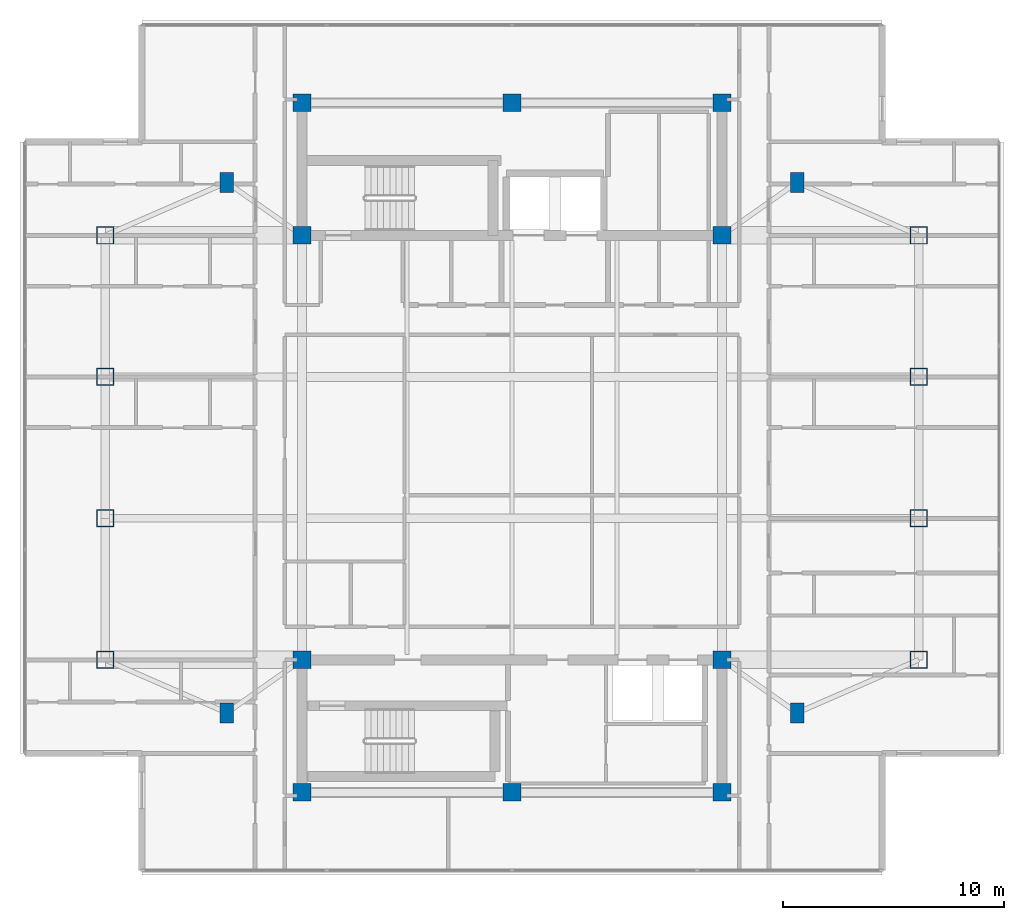
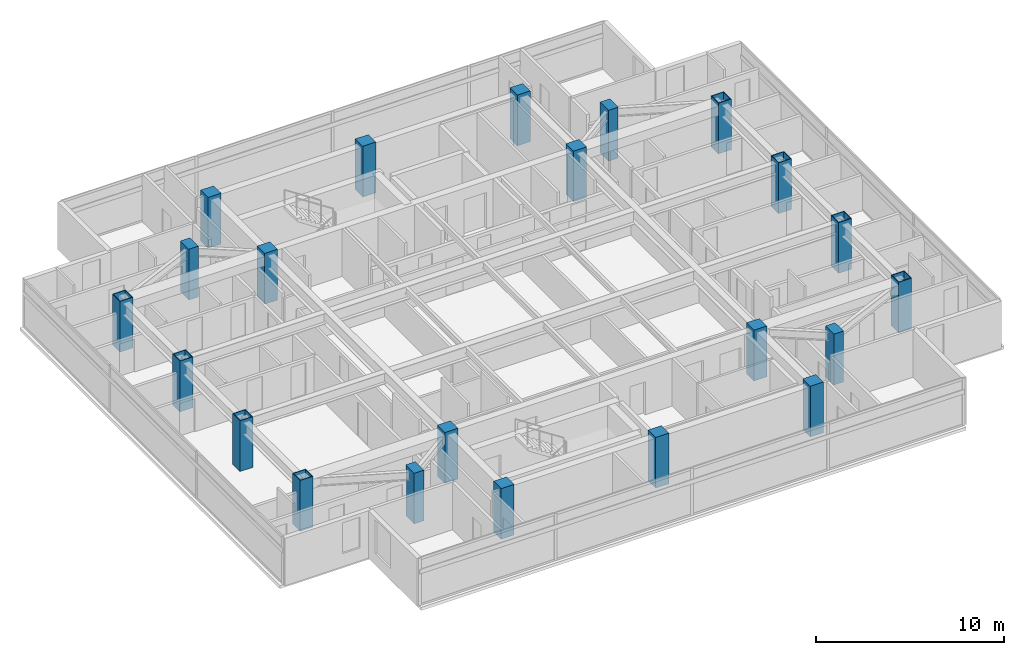
# One storey, part 1 of 14: 22 columns.
"""IFC4 building model written with IfcOpenShell, lengths in metres."""

from ifc_helpers import new_model, si_unit, direction, frame, origin, origin_2d, place, context, subcontext, project, spatial, rectangle, hollow_rectangle, extrude, material, material_profile, profile_set, type_object, element, save


model = new_model("IFC4")

# Units and contexts
model_context = context("Model", 3, precision=1e-05, world=origin(), true_north=direction((0.0, 1.0)))
body_context = subcontext(model_context, "Body", "Model", "MODEL_VIEW")
ifc_project = project(units=[si_unit("LENGTHUNIT", "METRE"), si_unit("AREAUNIT", "SQUARE_METRE"), si_unit("VOLUMEUNIT", "CUBIC_METRE"), si_unit("PLANEANGLEUNIT", "RADIAN"), si_unit("MASSUNIT", "GRAM", prefix="KILO")], contexts=[model_context])

# Site, building, storey
site_placement = place(None, origin())
site = spatial("IfcSite", under=ifc_project, at=site_placement, CompositionType="ELEMENT")
building_placement = place(site_placement, origin())
building = spatial("IfcBuilding", under=site, at=building_placement, Name="Mirazonda Arch Towers", CompositionType="ELEMENT")
storey_placement = place(building_placement, frame((0.0, 0.0, 242.5)))
storey = spatial("IfcBuildingStorey", under=building, at=storey_placement, Name="L69", CompositionType="ELEMENT", Elevation=242.5)

# Columns
ifc_material_1 = material(Name="Concrete C50/60", Category="concrete")
ifc_material_profile_1 = material_profile(ifc_material_1, rectangle(XDim=0.800048828125, YDim=0.800048828125, at=origin_2d()), Name="RC800x800")
ifc_profile_set_1 = profile_set([ifc_material_profile_1], Name="Concrete C50/60")
column_type_1 = type_object("IfcColumnType", Name="COL-INT-RC800x800", PredefinedType="COLUMN", material=ifc_profile_set_1)
for number, where, z_axis, x_axis, name in (
    (1, (11.0, 12.39990234375, 0.0), (0.0, 0.0, 1.0), (1.0, 0.0, 0.0), "L69 T1 Core Column 01"),
    (2, (20.5, 12.39990234375, 0.0), (0.0, 0.0, 1.0), (1.0, 0.0, 0.0), "L69 T1 Core Column 02"),
    (3, (30.0, 12.39990234375, 0.0), (0.0, 0.0, 1.0), (1.0, 0.0, 0.0), "L69 T1 Core Column 03"),
    (4, (11.0, 18.39990234375, 0.0), (0.0, 0.0, 1.0), (1.0, 0.0, 0.0), "L69 T1 Core Column 04"),
    (5, (30.0, 18.39990234375, 0.0), (0.0, 0.0, 1.0), (1.0, 0.0, 0.0), "L69 T1 Core Column 05"),
    (6, (11.0, 37.60009765625, 0.0), (0.0, 0.0, 1.0), (1.0, 0.0, 0.0), "L69 T1 Core Column 06"),
    (7, (30.0, 37.60009765625, 0.0), (0.0, 0.0, 1.0), (1.0, 0.0, 0.0), "L69 T1 Core Column 07"),
    (8, (11.0, 43.60009765625, 0.0), (0.0, 0.0, 1.0), (1.0, 0.0, 0.0), "L69 T1 Core Column 08"),
    (9, (20.5, 43.60009765625, 0.0), (0.0, 0.0, 1.0), (1.0, 0.0, 0.0), "L69 T1 Core Column 09"),
    (10, (30.0, 43.60009765625, 0.0), (0.0, 0.0, 1.0), (1.0, 0.0, 0.0), "L69 T1 Core Column 10"),
):
    element("IfcColumn", number, at=place(storey_placement, frame(where, z_axis=z_axis, x_axis=x_axis)), inside=storey, type_object=column_type_1, Name=name, PredefinedType="COLUMN", context=body_context, shape_type="SweptSolid", body=[
        extrude(rectangle(XDim=0.800048828125, YDim=0.800048828125, at=origin_2d()), origin(), (0.0, 0.0, 1.0), 3.300048828125),
    ])
ifc_material_2 = material(Name="Steel ASTM A572 Grade 50", Category="steel")
ifc_material_profile_2 = material_profile(ifc_material_2, hollow_rectangle(XDim=0.800048828125, YDim=0.800048828125, WallThickness=0.044921875, at=origin_2d()), Name="BOX800x800x45")
ifc_profile_set_2 = profile_set([ifc_material_profile_2], Name="Steel ASTM A572 Grade 50")
column_type_2 = type_object("IfcColumnType", Name="MCOL-EXT-BOX800x800x45", PredefinedType="COLUMN", material=ifc_profile_set_2)
for number, where, z_axis, x_axis, name in (
    (11, (2.10009765625, 18.39990234375, 0.0), (0.0, 0.0, 1.0), (1.0, 0.0, 0.0), "L69 T1 Composite Mega-Column 01"),
    (12, (2.10009765625, 24.800048828125, 0.0), (0.0, 0.0, 1.0), (1.0, 0.0, 0.0), "L69 T1 Composite Mega-Column 02"),
    (13, (2.10009765625, 31.199951171875, 0.0), (0.0, 0.0, 1.0), (1.0, 0.0, 0.0), "L69 T1 Composite Mega-Column 03"),
    (14, (2.10009765625, 37.60009765625, 0.0), (0.0, 0.0, 1.0), (1.0, 0.0, 0.0), "L69 T1 Composite Mega-Column 04"),
    (15, (38.89990234375, 18.39990234375, 0.0), (0.0, 0.0, 1.0), (1.0, 0.0, 0.0), "L69 T1 Composite Mega-Column 05"),
    (16, (38.89990234375, 24.800048828125, 0.0), (0.0, 0.0, 1.0), (1.0, 0.0, 0.0), "L69 T1 Composite Mega-Column 06"),
    (17, (38.89990234375, 31.199951171875, 0.0), (0.0, 0.0, 1.0), (1.0, 0.0, 0.0), "L69 T1 Composite Mega-Column 07"),
    (18, (38.89990234375, 37.60009765625, 0.0), (0.0, 0.0, 1.0), (1.0, 0.0, 0.0), "L69 T1 Composite Mega-Column 08"),
):
    element("IfcColumn", number, at=place(storey_placement, frame(where, z_axis=z_axis, x_axis=x_axis)), inside=storey, type_object=column_type_2, Name=name, PredefinedType="COLUMN", context=body_context, shape_type="SweptSolid", body=[
        extrude(hollow_rectangle(XDim=0.800048828125, YDim=0.800048828125, WallThickness=0.044921875, at=origin_2d()), origin(), (0.0, 0.0, 1.0), 3.300048828125),
    ])
ifc_material_profile_3 = material_profile(ifc_material_1, rectangle(XDim=0.60009765625, YDim=0.89990234375, at=origin_2d()), Name="RC900x600")
ifc_profile_set_3 = profile_set([ifc_material_profile_3], Name="Concrete C50/60")
column_type_3 = type_object("IfcColumnType", Name="PIL-EXT-RC900x600", PredefinedType="PILASTER", material=ifc_profile_set_3)
for number, where, z_axis, x_axis, name in (
    (19, (7.60009765625, 16.0, 0.0), (0.0, 0.0, 1.0), (1.0, 0.0, 0.0), "L69 T1 Corner Pilaster 01"),
    (20, (33.39990234375, 16.0, 0.0), (0.0, 0.0, 1.0), (1.0, 0.0, 0.0), "L69 T1 Corner Pilaster 02"),
    (21, (7.60009765625, 40.0, 0.0), (0.0, 0.0, 1.0), (1.0, 0.0, 0.0), "L69 T1 Corner Pilaster 03"),
    (22, (33.39990234375, 40.0, 0.0), (0.0, 0.0, 1.0), (1.0, 0.0, 0.0), "L69 T1 Corner Pilaster 04"),
):
    element("IfcColumn", number, at=place(storey_placement, frame(where, z_axis=z_axis, x_axis=x_axis)), inside=storey, type_object=column_type_3, Name=name, PredefinedType="PILASTER", context=body_context, shape_type="SweptSolid", body=[
        extrude(rectangle(XDim=0.60009765625, YDim=0.89990234375, at=origin_2d()), origin(), (0.0, 0.0, 1.0), 3.300048828125),
    ])

save(model, "model.ifc")
